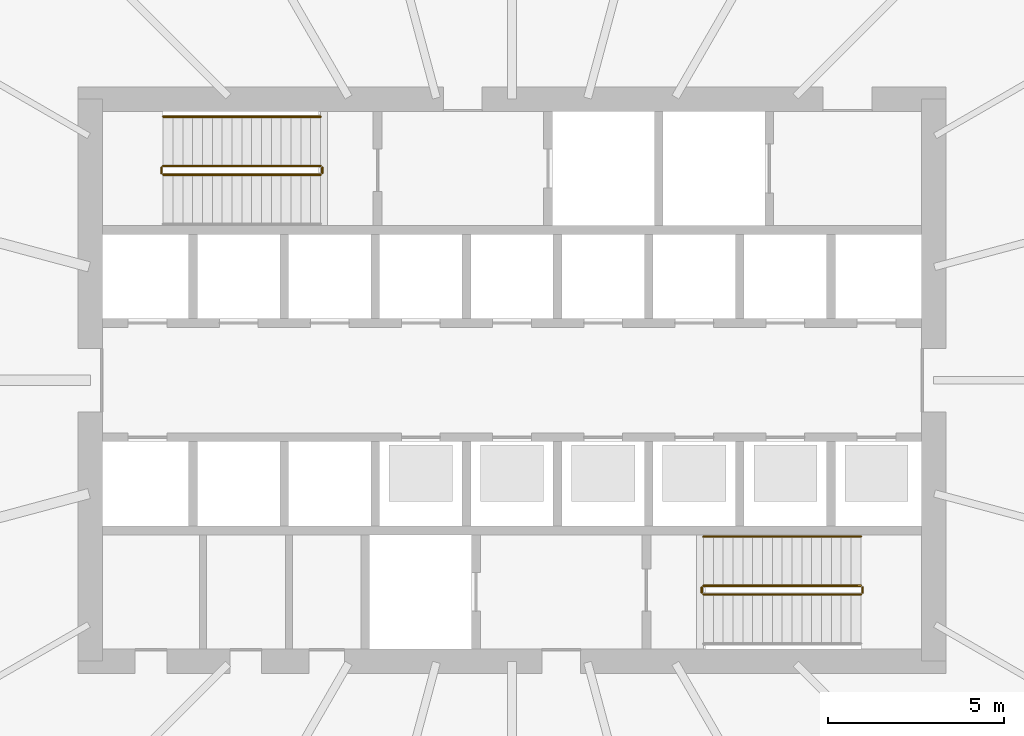
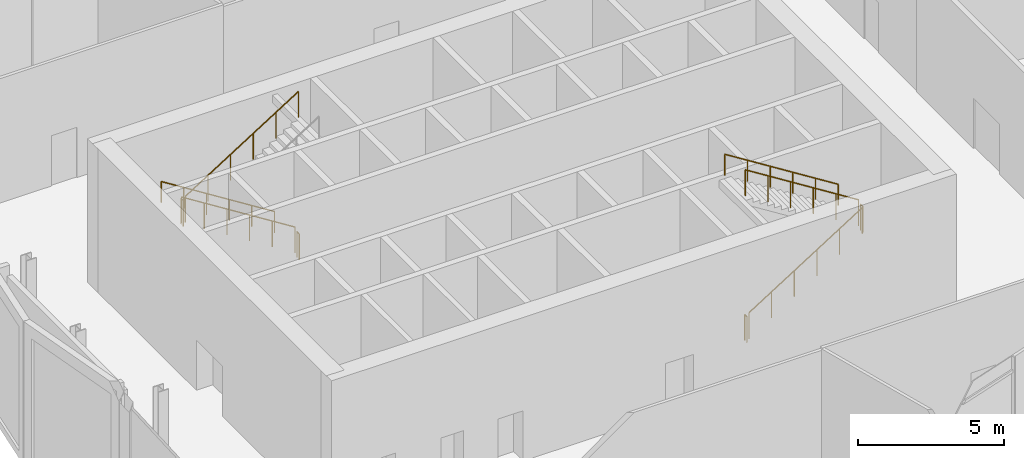
# One storey, part 34 of 38: 10 railings.
"""IFC4 building model written with IfcOpenShell, lengths in metres."""

from ifc_helpers import new_model, si_unit, direction, frame, origin, origin_2d, place, context, subcontext, project, spatial, circle, extrude, material, type_object, element, save


model = new_model("IFC4")

# Units and contexts
model_context = context("Model", 3, precision=1e-05, world=origin(), true_north=direction((0.0, 1.0)))
body_context = subcontext(model_context, "Body", "Model", "MODEL_VIEW")
ifc_project = project(units=[si_unit("LENGTHUNIT", "METRE"), si_unit("AREAUNIT", "SQUARE_METRE"), si_unit("VOLUMEUNIT", "CUBIC_METRE"), si_unit("PLANEANGLEUNIT", "RADIAN"), si_unit("MASSUNIT", "GRAM", prefix="KILO")], contexts=[model_context])

# Site, building, storey
site_placement = place(None, origin())
site = spatial("IfcSite", under=ifc_project, at=site_placement, CompositionType="ELEMENT")
building_placement = place(site_placement, origin())
building = spatial("IfcBuilding", under=site, at=building_placement, Name="Rimbun Link Towers", CompositionType="ELEMENT")
storey_placement = place(building_placement, frame((0.0, 0.0, 133.199951171875)))
storey = spatial("IfcBuildingStorey", under=building, at=storey_placement, Name="L32", CompositionType="ELEMENT", Elevation=133.199951171875)

# Railings
ifc_material_1 = material(Name="Stainless steel grade 316", Category="steel")
railing_type_1 = type_object("IfcRailingType", Name="Stair guard", PredefinedType="GUARDRAIL", material=ifc_material_1)
railing_1_placement = place(storey_placement, frame((-37.199951171875, 6.10009765625, 0.176513671875)))
element("IfcRailing", 1, at=railing_1_placement, inside=storey, type_object=railing_type_1, Name="L32 ST1 stair guard 1", PredefinedType="GUARDRAIL", context=body_context, shape_type="SweptSolid", body=[
    extrude(circle(Radius=0.02392578125, at=origin_2d()), frame((0.0, 0.0, 1.076171875), z_axis=(-0.845997938375, 0.0, 0.533186166611), x_axis=(0.0, -1.0, 0.0)), (0.0, 0.0, 1.0), 5.29541015625),
    extrude(circle(Radius=0.02099609375, at=origin_2d()), origin(), (0.0, 0.0, 1.0), 1.052001953125),
    extrude(circle(Radius=0.02099609375, at=origin_2d()), frame((-0.89599609375, 0.0, 0.564697265625)), (0.0, 0.0, 1.0), 1.052001953125),
    extrude(circle(Radius=0.02099609375, at=origin_2d()), frame((-1.7919921875, 0.0, 1.12939453125)), (0.0, 0.0, 1.0), 1.052001953125),
    extrude(circle(Radius=0.02099609375, at=origin_2d()), frame((-2.68798828125, 0.0, 1.694091796875)), (0.0, 0.0, 1.0), 1.052001953125),
    extrude(circle(Radius=0.02099609375, at=origin_2d()), frame((-3.583984375, 0.0, 2.2587890625)), (0.0, 0.0, 1.0), 1.052001953125),
    extrude(circle(Radius=0.02099609375, at=origin_2d()), frame((-4.47998046875, 0.0, 2.823486328125)), (0.0, 0.0, 1.0), 1.052001953125),
])
railing_2_placement = place(storey_placement, frame((-41.72998046875, 6.050048828125, 3.0)))
element("IfcRailing", 2, at=railing_2_placement, inside=storey, type_object=railing_type_1, Name="L32 ST1 stair guard 2", PredefinedType="GUARDRAIL", context=body_context, shape_type="SweptSolid", body=[
    extrude(circle(Radius=0.02392578125, at=origin_2d()), frame((0.0, 0.0, 1.076171875), z_axis=(0.0, -1.0, 0.0), x_axis=(1.0, 0.0, 0.0)), (0.0, 0.0, 1.0), 0.150146484375),
    extrude(circle(Radius=0.02099609375, at=origin_2d()), origin(), (0.0, 0.0, 1.0), 1.052001953125),
    extrude(circle(Radius=0.02099609375, at=origin_2d()), frame((0.0, -0.150146484375, 0.0)), (0.0, 0.0, 1.0), 1.052001953125),
])
railing_3_placement = place(storey_placement, frame((-41.679931640625, 5.85009765625, 3.176513671875)))
element("IfcRailing", 3, at=railing_3_placement, inside=storey, type_object=railing_type_1, Name="L32 ST1 stair guard 3", PredefinedType="GUARDRAIL", context=body_context, shape_type="SweptSolid", body=[
    extrude(circle(Radius=0.02392578125, at=origin_2d()), frame((0.0, 0.0, 1.076171875), z_axis=(0.845997938375, 0.0, 0.533186166611), x_axis=(0.0, 1.0, 0.0)), (0.0, 0.0, 1.0), 5.29541015625),
    extrude(circle(Radius=0.02099609375, at=origin_2d()), origin(), (0.0, 0.0, 1.0), 1.052001953125),
    extrude(circle(Radius=0.02099609375, at=origin_2d()), frame((0.89599609375, 0.0, 0.564697265625)), (0.0, 0.0, 1.0), 1.052001953125),
    extrude(circle(Radius=0.02099609375, at=origin_2d()), frame((1.7919921875, 0.0, 1.12939453125)), (0.0, 0.0, 1.0), 1.052001953125),
    extrude(circle(Radius=0.02099609375, at=origin_2d()), frame((2.68798828125, 0.0, 1.694091796875)), (0.0, 0.0, 1.0), 1.052001953125),
    extrude(circle(Radius=0.02099609375, at=origin_2d()), frame((3.583984375, 0.0, 2.2587890625)), (0.0, 0.0, 1.0), 1.052001953125),
    extrude(circle(Radius=0.02099609375, at=origin_2d()), frame((4.47998046875, 0.0, 2.823486328125)), (0.0, 0.0, 1.0), 1.052001953125),
])
railing_4_placement = place(storey_placement, frame((-37.14990234375, 6.050048828125, 0.0)))
element("IfcRailing", 4, at=railing_4_placement, inside=storey, type_object=railing_type_1, Name="L32 ST1 stair guard 4", PredefinedType="GUARDRAIL", context=body_context, shape_type="SweptSolid", body=[
    extrude(circle(Radius=0.02392578125, at=origin_2d()), frame((0.0, 0.0, 1.076171875), z_axis=(0.0, -1.0, 0.0), x_axis=(1.0, 0.0, 0.0)), (0.0, 0.0, 1.0), 0.150146484375),
    extrude(circle(Radius=0.02099609375, at=origin_2d()), origin(), (0.0, 0.0, 1.0), 1.052001953125),
    extrude(circle(Radius=0.02099609375, at=origin_2d()), frame((0.0, -0.150146484375, 0.0)), (0.0, 0.0, 1.0), 1.052001953125),
])
railing_5_placement = place(storey_placement, frame((-26.300048828125, -6.10009765625, 0.176513671875)))
element("IfcRailing", 5, at=railing_5_placement, inside=storey, type_object=railing_type_1, Name="L32 ST2 stair guard 1", PredefinedType="GUARDRAIL", context=body_context, shape_type="SweptSolid", body=[
    extrude(circle(Radius=0.02392578125, at=origin_2d()), frame((0.0, 0.0, 1.076171875), z_axis=(0.845997938375, 0.0, 0.533186166611), x_axis=(0.0, 1.0, 0.0)), (0.0, 0.0, 1.0), 5.29541015625),
    extrude(circle(Radius=0.02099609375, at=origin_2d()), origin(), (0.0, 0.0, 1.0), 1.052001953125),
    extrude(circle(Radius=0.02099609375, at=origin_2d()), frame((0.89599609375, 0.0, 0.564697265625)), (0.0, 0.0, 1.0), 1.052001953125),
    extrude(circle(Radius=0.02099609375, at=origin_2d()), frame((1.7919921875, 0.0, 1.12939453125)), (0.0, 0.0, 1.0), 1.052001953125),
    extrude(circle(Radius=0.02099609375, at=origin_2d()), frame((2.68798828125, 0.0, 1.694091796875)), (0.0, 0.0, 1.0), 1.052001953125),
    extrude(circle(Radius=0.02099609375, at=origin_2d()), frame((3.583984375, 0.0, 2.2587890625)), (0.0, 0.0, 1.0), 1.052001953125),
    extrude(circle(Radius=0.02099609375, at=origin_2d()), frame((4.47998046875, 0.0, 2.823486328125)), (0.0, 0.0, 1.0), 1.052001953125),
])
railing_6_placement = place(storey_placement, frame((-21.77001953125, -6.050048828125, 3.0)))
element("IfcRailing", 6, at=railing_6_placement, inside=storey, type_object=railing_type_1, Name="L32 ST2 stair guard 2", PredefinedType="GUARDRAIL", context=body_context, shape_type="SweptSolid", body=[
    extrude(circle(Radius=0.02392578125, at=origin_2d()), frame((0.0, 0.0, 1.076171875), z_axis=(0.0, 1.0, 0.0), x_axis=(-1.0, 0.0, 0.0)), (0.0, 0.0, 1.0), 0.150146484375),
    extrude(circle(Radius=0.02099609375, at=origin_2d()), origin(), (0.0, 0.0, 1.0), 1.052001953125),
    extrude(circle(Radius=0.02099609375, at=origin_2d()), frame((0.0, 0.150146484375, 0.0)), (0.0, 0.0, 1.0), 1.052001953125),
])
railing_7_placement = place(storey_placement, frame((-21.820068359375, -5.85009765625, 3.176513671875)))
element("IfcRailing", 7, at=railing_7_placement, inside=storey, type_object=railing_type_1, Name="L32 ST2 stair guard 3", PredefinedType="GUARDRAIL", context=body_context, shape_type="SweptSolid", body=[
    extrude(circle(Radius=0.02392578125, at=origin_2d()), frame((0.0, 0.0, 1.076171875), z_axis=(-0.845997938375, 0.0, 0.533186166611), x_axis=(0.0, -1.0, 0.0)), (0.0, 0.0, 1.0), 5.29541015625),
    extrude(circle(Radius=0.02099609375, at=origin_2d()), origin(), (0.0, 0.0, 1.0), 1.052001953125),
    extrude(circle(Radius=0.02099609375, at=origin_2d()), frame((-0.89599609375, 0.0, 0.564697265625)), (0.0, 0.0, 1.0), 1.052001953125),
    extrude(circle(Radius=0.02099609375, at=origin_2d()), frame((-1.7919921875, 0.0, 1.12939453125)), (0.0, 0.0, 1.0), 1.052001953125),
    extrude(circle(Radius=0.02099609375, at=origin_2d()), frame((-2.68798828125, 0.0, 1.694091796875)), (0.0, 0.0, 1.0), 1.052001953125),
    extrude(circle(Radius=0.02099609375, at=origin_2d()), frame((-3.583984375, 0.0, 2.2587890625)), (0.0, 0.0, 1.0), 1.052001953125),
    extrude(circle(Radius=0.02099609375, at=origin_2d()), frame((-4.47998046875, 0.0, 2.823486328125)), (0.0, 0.0, 1.0), 1.052001953125),
])
railing_8_placement = place(storey_placement, frame((-26.35009765625, -6.050048828125, 0.0)))
element("IfcRailing", 8, at=railing_8_placement, inside=storey, type_object=railing_type_1, Name="L32 ST2 stair guard 4", PredefinedType="GUARDRAIL", context=body_context, shape_type="SweptSolid", body=[
    extrude(circle(Radius=0.02392578125, at=origin_2d()), frame((0.0, 0.0, 1.076171875), z_axis=(0.0, 1.0, 0.0), x_axis=(-1.0, 0.0, 0.0)), (0.0, 0.0, 1.0), 0.150146484375),
    extrude(circle(Radius=0.02099609375, at=origin_2d()), origin(), (0.0, 0.0, 1.0), 1.052001953125),
    extrude(circle(Radius=0.02099609375, at=origin_2d()), frame((0.0, 0.150146484375, 0.0)), (0.0, 0.0, 1.0), 1.052001953125),
])
ifc_material_2 = material(Name="Stainless steel grade 316", Category="steel")
railing_type_2 = type_object("IfcRailingType", Name="Stair handrail", PredefinedType="HANDRAIL", material=ifc_material_2)
for number, where, name in (
    (9, (-37.199951171875, 7.5, 0.176513671875), "L32 ST1 stair handrail 1"),
    (10, (-21.820068359375, -4.449951171875, 3.176513671875), "L32 ST2 stair handrail 2"),
):
    element("IfcRailing", number, at=place(storey_placement, frame(where)), inside=storey, type_object=railing_type_2, Name=name, PredefinedType="HANDRAIL", context=body_context, shape_type="SweptSolid", body=[
        extrude(circle(Radius=0.02392578125, at=origin_2d()), frame((0.0, 0.0, 0.8759765625), z_axis=(-0.845997938375, 0.0, 0.533186166611), x_axis=(0.0, -1.0, 0.0)), (0.0, 0.0, 1.0), 5.29541015625),
        extrude(circle(Radius=0.02099609375, at=origin_2d()), origin(), (0.0, 0.0, 1.0), 0.851806640625),
        extrude(circle(Radius=0.02099609375, at=origin_2d()), frame((-0.89599609375, 0.0, 0.564697265625)), (0.0, 0.0, 1.0), 0.851806640625),
        extrude(circle(Radius=0.02099609375, at=origin_2d()), frame((-1.7919921875, 0.0, 1.12939453125)), (0.0, 0.0, 1.0), 0.851806640625),
        extrude(circle(Radius=0.02099609375, at=origin_2d()), frame((-2.68798828125, 0.0, 1.694091796875)), (0.0, 0.0, 1.0), 0.851806640625),
        extrude(circle(Radius=0.02099609375, at=origin_2d()), frame((-3.583984375, 0.0, 2.2587890625)), (0.0, 0.0, 1.0), 0.851806640625),
        extrude(circle(Radius=0.02099609375, at=origin_2d()), frame((-4.47998046875, 0.0, 2.823486328125)), (0.0, 0.0, 1.0), 0.851806640625),
    ])

save(model, "model.ifc")
